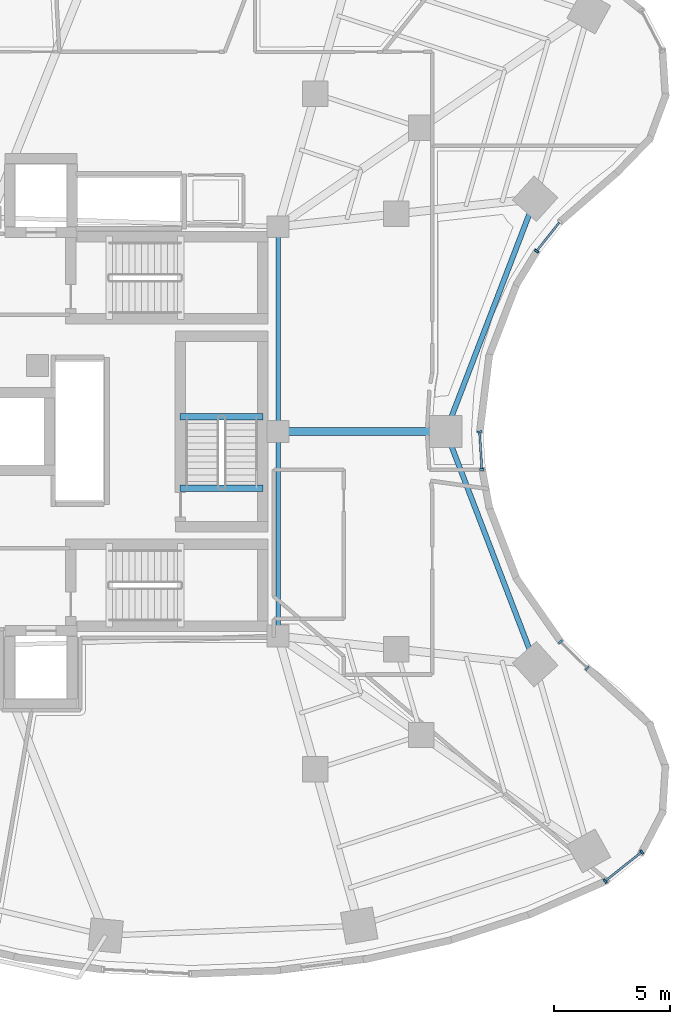
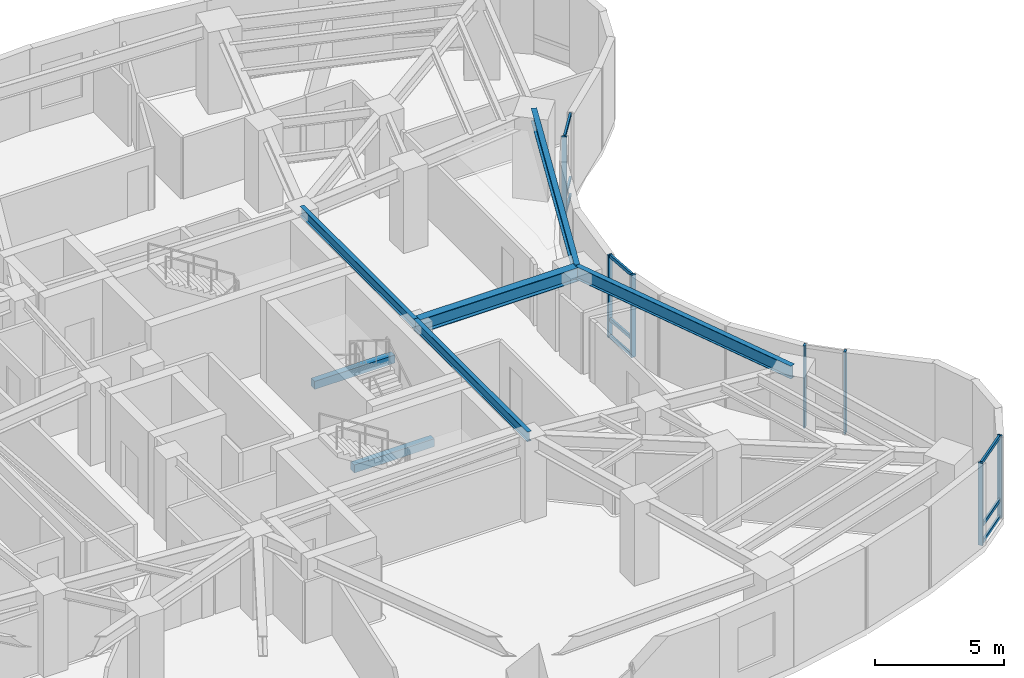
# One storey, part 4 of 14: 16 members, 7 beams, 4 elements without a shape of their own.
"""IFC4 building model written with IfcOpenShell, lengths in metres."""

from ifc_helpers import new_model, si_unit, direction, frame, origin, origin_2d, place, context, subcontext, project, spatial, rectangle, i_section, extrude, material, layer, layer_set, material_profile, profile_set, type_object, element, aggregate, save


model = new_model("IFC4")

# Units and contexts
model_context = context("Model", 3, precision=1e-05, world=origin(), true_north=direction((0.0, 1.0)))
body_context = subcontext(model_context, "Body", "Model", "MODEL_VIEW")
ifc_project = project(units=[si_unit("LENGTHUNIT", "METRE"), si_unit("AREAUNIT", "SQUARE_METRE"), si_unit("VOLUMEUNIT", "CUBIC_METRE"), si_unit("PLANEANGLEUNIT", "RADIAN"), si_unit("MASSUNIT", "GRAM", prefix="KILO")], contexts=[model_context])

# Site, building, storey
site_placement = place(None, origin())
site = spatial("IfcSite", under=ifc_project, at=site_placement, CompositionType="ELEMENT")
building_placement = place(site_placement, origin())
building = spatial("IfcBuilding", under=site, at=building_placement, Name="Korentha Bioscience Tower", CompositionType="ELEMENT")
storey_placement = place(building_placement, frame((0.0, 0.0, 51.0)))
storey = spatial("IfcBuildingStorey", under=building, at=storey_placement, Name="L11", CompositionType="ELEMENT", Elevation=51.0)

# Beams
ifc_material_1 = material(Name="Concrete C50", Category="concrete")
ifc_material_profile_1 = material_profile(ifc_material_1, rectangle(XDim=0.280029296875, YDim=0.3798828125, at=origin_2d()), Name="Concrete C50")
ifc_profile_set_1 = profile_set([ifc_material_profile_1], Name="Concrete C50 (ST-HB380)")
beam_type_1 = type_object("IfcBeamType", Name="Concrete Stair Header Beam RC 280x380", PredefinedType="BEAM", material=ifc_profile_set_1)
for number, where, z_axis, x_axis, name in (
    (1, (36.89990234375, 24.550048828125, -0.18994140625), (-1.0, 0.0, 0.0), (0.0, -1.0, 0.0), "L11 ST-3 Concrete Stair Header Beam"),
    (2, (36.89990234375, 27.6298828125, 1.909912109375), (-1.0, 0.0, 0.0), (0.0, -1.0, 0.0), "L11 ST-3 Half-Landing Header Beam 1"),
):
    element("IfcBeam", number, at=place(storey_placement, frame(where, z_axis=z_axis, x_axis=x_axis)), inside=storey, type_object=beam_type_1, Name=name, PredefinedType="BEAM", context=body_context, shape_type="SweptSolid", body=[
        extrude(rectangle(XDim=0.280029296875, YDim=0.3798828125, at=origin_2d()), origin(), (0.0, 0.0, 1.0), 3.599853515625),
    ])
ifc_material_2 = material(Name="Steel S355", Category="steel")
ifc_material_profile_2 = material_profile(ifc_material_2, i_section(OverallWidth=0.18994140625, OverallDepth=0.45703125, WebThickness=0.009033203125, FlangeThickness=0.014404296875, at=origin_2d()), Name="Steel S355")
ifc_profile_set_2 = profile_set([ifc_material_profile_2], Name="Steel S355 (MB-460)")
beam_type_2 = type_object("IfcBeamType", Name="Mid-Ring Tie Girder W460x74", PredefinedType="BEAM", material=ifc_profile_set_2)
for number, where, z_axis, x_axis, name in (
    (3, (37.550048828125, 18.14990234375, 3.67138671875), (0.0, 1.0, 0.0), (-1.0, 0.0, 0.0), "L11 Core Ring Tie Girder 06"),
    (4, (37.550048828125, 27.0, 3.67138671875), (0.0, 1.0, 0.0), (-1.0, 0.0, 0.0), "L11 Core Ring Tie Girder 07"),
):
    element("IfcBeam", number, at=place(storey_placement, frame(where, z_axis=z_axis, x_axis=x_axis)), inside=storey, type_object=beam_type_2, Name=name, PredefinedType="BEAM", context=body_context, shape_type="SweptSolid", body=[
        extrude(i_section(OverallWidth=0.18994140625, OverallDepth=0.45703125, WebThickness=0.009033203125, FlangeThickness=0.014404296875, at=origin_2d()), origin(), (0.0, 0.0, 1.0), 8.85009765625),
    ])

# Curtain wall, members
ifc_material_3 = material(Name="Thermally Broken Aluminium Frame", Category="aluminium")
ifc_layer = layer(ifc_material_3, 0.219970703125, Name="Thermally Broken Aluminium Frame")
ifc_layer_set = layer_set([ifc_layer], Name="Thermally Broken Aluminium Frame (CW-T1)")
curtain_wall_type = type_object("IfcCurtainWallType", Name="Standard Bioscience Lab Unitised Curtain Wall CW-T1", PredefinedType="USERDEFINED", material=ifc_layer_set)
curtain_wall_1_placement = place(storey_placement, origin())
curtain_wall_1 = element("IfcCurtainWall", 5, at=curtain_wall_1_placement, inside=storey, type_object=curtain_wall_type, Name="L11 Curtain Wall 37", ObjectType="UNITISED", PredefinedType="USERDEFINED")
ifc_material_4 = material(Name="Anodised Aluminium 6063-T6", Category="aluminium")
ifc_material_profile_3 = material_profile(ifc_material_4, rectangle(XDim=0.090087890625, YDim=0.199951171875, at=origin_2d()), Name="Anodised Aluminium 6063-T6")
ifc_profile_set_3 = profile_set([ifc_material_profile_3], Name="Anodised Aluminium 6063-T6 (CW-MUL)")
member_type_1 = type_object("IfcMemberType", Name="Mullion RECT 90x200", PredefinedType="MULLION", material=ifc_profile_set_3)
member_1_placement = place(storey_placement, frame((51.6865234375, 7.56298828125, 0.0), z_axis=(0.0, 0.0, 1.0), x_axis=(0.782287851332, 0.62291710336, 0.0)))
member_1 = element("IfcMember", 6, at=member_1_placement, type_object=member_type_1, Name="CW-L11-37 Mullion 1", PredefinedType="MULLION", context=body_context, shape_type="SweptSolid", body=[
    extrude(rectangle(XDim=0.090087890625, YDim=0.199951171875, at=origin_2d()), origin(), (0.0, 0.0, 1.0), 3.89990234375),
])
member_2_placement = place(storey_placement, frame((53.264892578125, 8.81982421875, 0.0), z_axis=(0.0, 0.0, 1.0), x_axis=(0.782287851332, 0.62291710336, 0.0)))
member_2 = element("IfcMember", 7, at=member_2_placement, type_object=member_type_1, Name="CW-L11-37 Mullion 2", PredefinedType="MULLION", context=body_context, shape_type="SweptSolid", body=[
    extrude(rectangle(XDim=0.090087890625, YDim=0.199951171875, at=origin_2d()), origin(), (0.0, 0.0, 1.0), 3.89990234375),
])

curtain_wall_2_placement = place(storey_placement, origin())
curtain_wall_2 = element("IfcCurtainWall", 8, at=curtain_wall_2_placement, inside=storey, type_object=curtain_wall_type, Name="L11 Curtain Wall 43", ObjectType="UNITISED", PredefinedType="USERDEFINED")
member_3_placement = place(storey_placement, frame((50.913818359375, 16.76513671875, 0.0), z_axis=(0.0, 0.0, 1.0), x_axis=(-0.713279246754, 0.700879958445, 0.0)))
member_3 = element("IfcMember", 9, at=member_3_placement, type_object=member_type_1, Name="CW-L11-43 Mullion 1", PredefinedType="MULLION", context=body_context, shape_type="SweptSolid", body=[
    extrude(rectangle(XDim=0.090087890625, YDim=0.199951171875, at=origin_2d()), origin(), (0.0, 0.0, 1.0), 3.89990234375),
])
member_4_placement = place(storey_placement, frame((49.752685546875, 17.90625, 0.0), z_axis=(0.0, 0.0, 1.0), x_axis=(-0.713279246754, 0.700879958445, 0.0)))
member_4 = element("IfcMember", 10, at=member_4_placement, type_object=member_type_1, Name="CW-L11-43 Mullion 2", PredefinedType="MULLION", context=body_context, shape_type="SweptSolid", body=[
    extrude(rectangle(XDim=0.090087890625, YDim=0.199951171875, at=origin_2d()), origin(), (0.0, 0.0, 1.0), 3.89990234375),
])
aggregate(curtain_wall_2, [member_3, member_4])

curtain_wall_3_placement = place(storey_placement, origin())
curtain_wall_3 = element("IfcCurtainWall", 11, at=curtain_wall_3_placement, inside=storey, type_object=curtain_wall_type, Name="L11 Curtain Wall 49", ObjectType="UNITISED", PredefinedType="USERDEFINED")
member_5_placement = place(storey_placement, frame((46.355712890625, 25.3603515625, 0.0), z_axis=(0.0, 0.0, 1.0), x_axis=(-0.061008272998, 0.998137260413, 0.0)))
member_5 = element("IfcMember", 12, at=member_5_placement, type_object=member_type_1, Name="CW-L11-49 Mullion 1", PredefinedType="MULLION", context=body_context, shape_type="SweptSolid", body=[
    extrude(rectangle(XDim=0.090087890625, YDim=0.199951171875, at=origin_2d()), origin(), (0.0, 0.0, 1.0), 3.89990234375),
])
member_6_placement = place(storey_placement, frame((46.25634765625, 26.985107421875, 0.0), z_axis=(0.0, 0.0, 1.0), x_axis=(-0.061008272998, 0.998137260413, 0.0)))
member_6 = element("IfcMember", 13, at=member_6_placement, type_object=member_type_1, Name="CW-L11-49 Mullion 2", PredefinedType="MULLION", context=body_context, shape_type="SweptSolid", body=[
    extrude(rectangle(XDim=0.090087890625, YDim=0.199951171875, at=origin_2d()), origin(), (0.0, 0.0, 1.0), 3.89990234375),
])

# Curtain wall, member
curtain_wall_4_placement = place(storey_placement, origin())
curtain_wall_4 = element("IfcCurtainWall", 14, at=curtain_wall_4_placement, inside=storey, type_object=curtain_wall_type, Name="L11 Curtain Wall 55", ObjectType="UNITISED", PredefinedType="USERDEFINED")
member_7_placement = place(storey_placement, frame((48.719482421875, 34.7978515625, 0.0), z_axis=(0.0, 0.0, 1.0), x_axis=(0.622520324648, 0.782603632371, 0.0)))
member_7 = element("IfcMember", 15, at=member_7_placement, type_object=member_type_1, Name="CW-L11-55 Mullion 1", PredefinedType="MULLION", context=body_context, shape_type="SweptSolid", body=[
    extrude(rectangle(XDim=0.090087890625, YDim=0.199951171875, at=origin_2d()), origin(), (0.0, 0.0, 1.0), 3.89990234375),
])

# Beams
ifc_material_profile_4 = material_profile(ifc_material_2, i_section(OverallWidth=0.22802734375, OverallDepth=0.60791015625, WebThickness=0.01123046875, FlangeThickness=0.017333984375, at=origin_2d()), Name="Steel S355")
ifc_profile_set_4 = profile_set([ifc_material_profile_4], Name="Steel S355 (SB-610)")
beam_type_3 = type_object("IfcBeamType", Name="Perimeter Ring Spandrel Girder W610x113", PredefinedType="SPANDREL", material=ifc_profile_set_4)
for number, where, z_axis, x_axis, name in (
    (16, (48.661865234375, 16.939208984375, 3.595947265625), (-0.358473520253, 0.93353989485, 0.0), (-0.93353989485, -0.358473520253, 0.0), "L11 Perimeter Spandrel Girder 14"),
    (17, (44.798583984375, 27.0, 3.595947265625), (0.358473520253, 0.93353989485, 0.0), (-0.93353989485, 0.358473520253, 0.0), "L11 Perimeter Spandrel Girder 15"),
):
    element("IfcBeam", number, at=place(storey_placement, frame(where, z_axis=z_axis, x_axis=x_axis)), inside=storey, type_object=beam_type_3, Name=name, PredefinedType="SPANDREL", context=body_context, shape_type="SweptSolid", body=[
        extrude(i_section(OverallWidth=0.22802734375, OverallDepth=0.60791015625, WebThickness=0.01123046875, FlangeThickness=0.017333984375, at=origin_2d()), origin(), (0.0, 0.0, 1.0), 10.777099609375),
    ])
ifc_material_profile_5 = material_profile(ifc_material_2, i_section(OverallWidth=0.35009765625, OverallDepth=0.64990234375, WebThickness=0.01611328125, FlangeThickness=0.02490234375, at=origin_2d()), Name="Steel S355")
ifc_profile_set_5 = profile_set([ifc_material_profile_5], Name="Steel S355 (RB-650)")
beam_type_4 = type_object("IfcBeamType", Name="Radial Laboratory Girder CVS 650x208", PredefinedType="BEAM", material=ifc_profile_set_5)
beam_placement = place(storey_placement, frame((37.550048828125, 27.0, 3.574951171875), z_axis=(1.0, 0.0, 0.0), x_axis=(0.0, 1.0, 0.0)))
element("IfcBeam", 18, at=beam_placement, inside=storey, type_object=beam_type_4, Name="L11 Radial Girder 15", PredefinedType="BEAM", context=body_context, shape_type="SweptSolid", body=[
    extrude(i_section(OverallWidth=0.35009765625, OverallDepth=0.64990234375, WebThickness=0.01611328125, FlangeThickness=0.02490234375, at=origin_2d()), origin(), (0.0, 0.0, 1.0), 7.24853515625),
])

# Member
ifc_material_profile_6 = material_profile(ifc_material_4, rectangle(XDim=0.090087890625, YDim=0.159912109375, at=origin_2d()), Name="Anodised Aluminium 6063-T6")
ifc_profile_set_6 = profile_set([ifc_material_profile_6], Name="Anodised Aluminium 6063-T6 (CW-TRN)")
member_type_2 = type_object("IfcMemberType", Name="Transom RECT 90x160", PredefinedType="USERDEFINED", material=ifc_profile_set_6)
member_8_placement = place(storey_placement, frame((51.7216796875, 7.591064453125, 0.044921875), z_axis=(0.78232471634, 0.622870803782, 0.0), x_axis=(-0.622870803782, 0.78232471634, 0.0)))
member_8 = element("IfcMember", 19, at=member_8_placement, type_object=member_type_2, Name="CW-L11-37 Bay 1 Transom 1", ObjectType="TRANSOM", PredefinedType="USERDEFINED", context=body_context, shape_type="SweptSolid", body=[
    extrude(rectangle(XDim=0.090087890625, YDim=0.159912109375, at=origin_2d()), origin(), (0.0, 0.0, 1.0), 1.927734375),
])

member_9_placement = place(storey_placement, frame((51.7216796875, 7.591064453125, 0.85009765625), z_axis=(0.78232471634, 0.622870803782, 0.0), x_axis=(-0.622870803782, 0.78232471634, 0.0)))
member_9 = element("IfcMember", 20, at=member_9_placement, type_object=member_type_2, Name="CW-L11-37 Bay 1 Transom 2", ObjectType="TRANSOM", PredefinedType="USERDEFINED", context=body_context, shape_type="SweptSolid", body=[
    extrude(rectangle(XDim=0.090087890625, YDim=0.159912109375, at=origin_2d()), origin(), (0.0, 0.0, 1.0), 1.927734375),
])

member_10_placement = place(storey_placement, frame((51.7216796875, 7.591064453125, 3.85498046875), z_axis=(0.78232471634, 0.622870803782, 0.0), x_axis=(-0.622870803782, 0.78232471634, 0.0)))
member_10 = element("IfcMember", 21, at=member_10_placement, type_object=member_type_2, Name="CW-L11-37 Bay 1 Transom 3", ObjectType="TRANSOM", PredefinedType="USERDEFINED", context=body_context, shape_type="SweptSolid", body=[
    extrude(rectangle(XDim=0.090087890625, YDim=0.159912109375, at=origin_2d()), origin(), (0.0, 0.0, 1.0), 1.927734375),
])

aggregate(curtain_wall_1, [member_1, member_2, member_8, member_9, member_10])

member_11_placement = place(storey_placement, frame((46.352783203125, 25.4052734375, 0.044921875), z_axis=(-0.060964804815, 0.998139916331, 0.0), x_axis=(-0.998139916331, -0.060964804815, 0.0)))
member_11 = element("IfcMember", 22, at=member_11_placement, type_object=member_type_2, Name="CW-L11-49 Bay 1 Transom 1", ObjectType="TRANSOM", PredefinedType="USERDEFINED", context=body_context, shape_type="SweptSolid", body=[
    extrude(rectangle(XDim=0.090087890625, YDim=0.159912109375, at=origin_2d()), origin(), (0.0, 0.0, 1.0), 1.537841796875),
])

member_12_placement = place(storey_placement, frame((46.352783203125, 25.4052734375, 0.85009765625), z_axis=(-0.060964804815, 0.998139916331, 0.0), x_axis=(-0.998139916331, -0.060964804815, 0.0)))
member_12 = element("IfcMember", 23, at=member_12_placement, type_object=member_type_2, Name="CW-L11-49 Bay 1 Transom 2", ObjectType="TRANSOM", PredefinedType="USERDEFINED", context=body_context, shape_type="SweptSolid", body=[
    extrude(rectangle(XDim=0.090087890625, YDim=0.159912109375, at=origin_2d()), origin(), (0.0, 0.0, 1.0), 1.537841796875),
])

member_13_placement = place(storey_placement, frame((46.352783203125, 25.4052734375, 3.85498046875), z_axis=(-0.060964804815, 0.998139916331, 0.0), x_axis=(-0.998139916331, -0.060964804815, 0.0)))
member_13 = element("IfcMember", 24, at=member_13_placement, type_object=member_type_2, Name="CW-L11-49 Bay 1 Transom 3", ObjectType="TRANSOM", PredefinedType="USERDEFINED", context=body_context, shape_type="SweptSolid", body=[
    extrude(rectangle(XDim=0.090087890625, YDim=0.159912109375, at=origin_2d()), origin(), (0.0, 0.0, 1.0), 1.537841796875),
])

aggregate(curtain_wall_3, [member_5, member_6, member_11, member_12, member_13])

member_14_placement = place(storey_placement, frame((48.74755859375, 34.8330078125, 0.044921875), z_axis=(0.622563336945, 0.782569416405, 0.0), x_axis=(-0.782569416405, 0.622563336945, 0.0)))
member_14 = element("IfcMember", 25, at=member_14_placement, type_object=member_type_2, Name="CW-L11-55 Bay 1 Transom 1", ObjectType="TRANSOM", PredefinedType="USERDEFINED", context=body_context, shape_type="SweptSolid", body=[
    extrude(rectangle(XDim=0.090087890625, YDim=0.159912109375, at=origin_2d()), origin(), (0.0, 0.0, 1.0), 1.5380859375),
])

member_15_placement = place(storey_placement, frame((48.74755859375, 34.8330078125, 0.85009765625), z_axis=(0.622563336945, 0.782569416405, 0.0), x_axis=(-0.782569416405, 0.622563336945, 0.0)))
member_15 = element("IfcMember", 26, at=member_15_placement, type_object=member_type_2, Name="CW-L11-55 Bay 1 Transom 2", ObjectType="TRANSOM", PredefinedType="USERDEFINED", context=body_context, shape_type="SweptSolid", body=[
    extrude(rectangle(XDim=0.090087890625, YDim=0.159912109375, at=origin_2d()), origin(), (0.0, 0.0, 1.0), 1.5380859375),
])

member_16_placement = place(storey_placement, frame((48.74755859375, 34.8330078125, 3.85498046875), z_axis=(0.622563336945, 0.782569416405, 0.0), x_axis=(-0.782569416405, 0.622563336945, 0.0)))
member_16 = element("IfcMember", 27, at=member_16_placement, type_object=member_type_2, Name="CW-L11-55 Bay 1 Transom 3", ObjectType="TRANSOM", PredefinedType="USERDEFINED", context=body_context, shape_type="SweptSolid", body=[
    extrude(rectangle(XDim=0.090087890625, YDim=0.159912109375, at=origin_2d()), origin(), (0.0, 0.0, 1.0), 1.5380859375),
])

aggregate(curtain_wall_4, [member_7, member_14, member_15, member_16])

save(model, "model.ifc")
